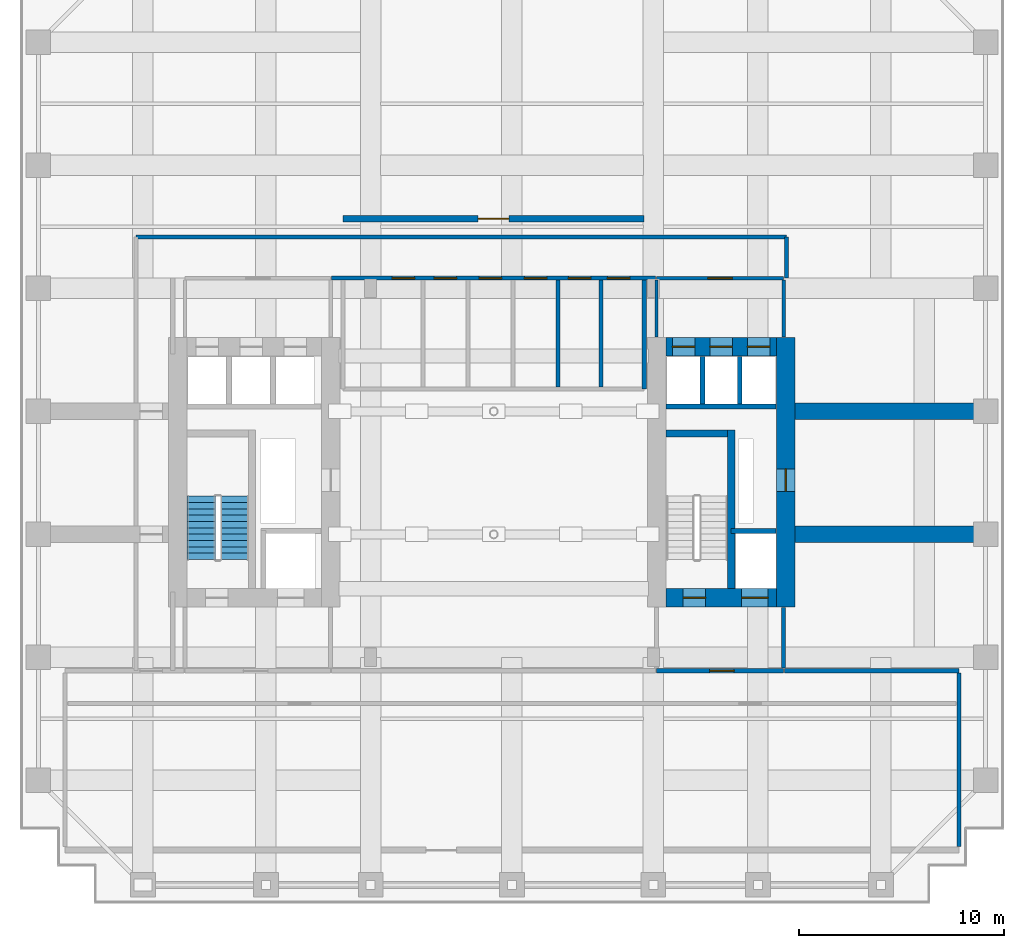
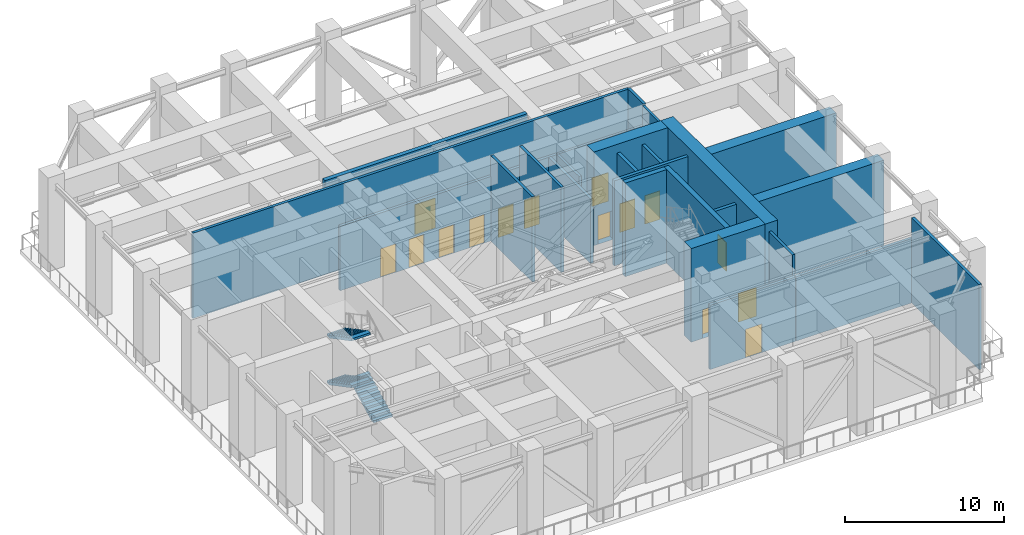
# One storey, part 5 of 10: 25 walls, 15 doors, 3 stair flights, 15 openings, 1 element without a shape of its own.
"""IFC4 building model written with IfcOpenShell, lengths in metres."""

from ifc_helpers import new_model, si_unit, direction, frame, frame_2d, origin, place, context, subcontext, project, spatial, polyline, rectangle, outline, extrude, source, transform, mapped, material, layer, layer_set, type_object, element, fill, aggregate, save


model = new_model("IFC4")

# Units and contexts
model_context = context("Model", 3, precision=1e-05, world=origin(), true_north=direction((0.0, 1.0)))
body_context = subcontext(model_context, "Body", "Model", "MODEL_VIEW")
ifc_project = project(units=[si_unit("LENGTHUNIT", "METRE"), si_unit("AREAUNIT", "SQUARE_METRE"), si_unit("VOLUMEUNIT", "CUBIC_METRE"), si_unit("PLANEANGLEUNIT", "RADIAN"), si_unit("MASSUNIT", "GRAM", prefix="KILO")], contexts=[model_context])

# Site, building, storey
site_placement = place(None, origin())
site = spatial("IfcSite", under=ifc_project, at=site_placement, CompositionType="ELEMENT")
building_placement = place(site_placement, origin())
building = spatial("IfcBuilding", under=site, at=building_placement, Name="Khoralis Quay Care Tower", CompositionType="ELEMENT")
storey_placement = place(building_placement, frame((0.0, 0.0, 76.5)))
storey = spatial("IfcBuildingStorey", under=building, at=storey_placement, Name="L20", CompositionType="ELEMENT", Elevation=76.5)

# Wall, opening, door
ifc_material_1 = material(Name="Gypsum plasterboard on acoustic metal stud")
ifc_layer_1 = layer(ifc_material_1, 0.199951171875)
ifc_layer_set_1 = layer_set([ifc_layer_1], Name="Gypsum plasterboard on acoustic metal stud")
wall_type_1 = type_object("IfcWallType", Name="WL-COMP-200", PredefinedType="PARTITIONING", material=ifc_layer_set_1)
wall_1_placement = place(storey_placement, frame((31.050048828125, 11.35009765625, 0.0), z_axis=(0.0, 0.0, 1.0), x_axis=(1.0, 0.0, 0.0)))
wall_1 = element("IfcWall", 1, at=wall_1_placement, inside=storey, type_object=wall_type_1, Name="L20 East Firefighting Lobby South Wall", PredefinedType="PARTITIONING", context=body_context, shape_type="SweptSolid", body=[
    extrude(rectangle(XDim=6.199951171875, YDim=0.199951171875, at=frame_2d((3.10009765625, 0.0))), origin(), (0.0, 0.0, 1.0), 4.949951171875),
])
opening_1_placement = place(wall_1_placement, frame((2.585693359375, 0.0, 0.0)))
opening_1 = element("IfcOpeningElement", 2, at=opening_1_placement, cuts=wall_1, Name="Opening FD1", PredefinedType="OPENING", context=body_context, shape_type="SweptSolid", body=[
    extrude(rectangle(XDim=1.199951171875, YDim=2.199951171875, at=frame_2d((0.60009765625, 1.10009765625))), frame((0.0, 0.10986328125, 0.0), z_axis=(0.0, -1.0, 0.0), x_axis=(1.0, 0.0, 0.0)), (0.0, 0.0, 1.0), 0.219970703125),
])
ifc_material_2 = material(Name="Fire-rated painted steel", Category="steel")
door_type_1 = type_object("IfcDoorType", Name="DR-FFL-1200X2200", OperationType="NOTDEFINED", PredefinedType="DOOR", material=ifc_material_2)
shared_shape_1 = source(origin(), body_context, "Body", "SweptSolid", [
    extrude(rectangle(XDim=1.199951171875, YDim=2.199951171875, at=frame_2d((0.60009765625, 1.10009765625))), frame((0.0, 0.02490234375, 0.0), z_axis=(0.0, -1.0, 0.0), x_axis=(1.0, 0.0, 0.0)), (0.0, 0.0, 1.0), 0.050048828125),
])
door_1_placement = place(opening_1_placement, origin())
door_1 = element("IfcDoor", 3, at=door_1_placement, inside=storey, type_object=door_type_1, Name="L20 East Firefighting Lobby Fire Door", OperationType="SINGLE_SWING_LEFT", OverallHeight=2.199951171875, OverallWidth=1.199951171875, PredefinedType="DOOR", context=body_context, shape_type="MappedRepresentation", body=[
    mapped(shared_shape_1, transform((0.0, 0.0, 0.0), scale=1.0)),
])
fill(opening_1, door_1)

# Walls
wall_2_placement = place(storey_placement, frame((37.25, 11.469970703125, 0.0), z_axis=(0.0, 0.0, 1.0), x_axis=(0.0, 1.0, 0.0)))
element("IfcWall", 4, at=wall_2_placement, inside=storey, type_object=wall_type_1, Name="L20 East Firefighting Lobby East Wall", PredefinedType="PARTITIONING", context=body_context, shape_type="SweptSolid", body=[
    extrude(rectangle(XDim=2.9599609375, YDim=0.199951171875, at=frame_2d((1.47998046875, 0.0))), origin(), (0.0, 0.0, 1.0), 6.550048828125),
])
wall_3_placement = place(storey_placement, frame((45.800048828125, 2.77001953125, 0.0), z_axis=(0.0, 0.0, 1.0), x_axis=(0.0, 1.0, 0.0)))
element("IfcWall", 5, at=wall_3_placement, inside=storey, type_object=wall_type_1, Name="L20 Refuge East Compartment Wall", PredefinedType="PARTITIONING", context=body_context, shape_type="SweptSolid", body=[
    extrude(rectangle(XDim=8.47998046875, YDim=0.199951171875, at=frame_2d((4.239990234375, 0.0))), origin(), (0.0, 0.0, 1.0), 6.550048828125),
])
wall_4_placement = place(storey_placement, frame((37.300048828125, 11.35009765625, 0.0), z_axis=(0.0, 0.0, 1.0), x_axis=(1.0, 0.0, 0.0)))
element("IfcWall", 6, at=wall_4_placement, inside=storey, type_object=wall_type_1, Name="L20 Refuge Corridor North-East Cap", PredefinedType="PARTITIONING", context=body_context, shape_type="SweptSolid", body=[
    extrude(rectangle(XDim=8.5, YDim=0.199951171875, at=frame_2d((4.25, 0.0))), origin(), (0.0, 0.0, 1.0), 4.949951171875),
])
wall_5_placement = place(storey_placement, frame((5.64990234375, 32.5, 0.0), z_axis=(0.0, 0.0, 1.0), x_axis=(1.0, 0.0, 0.0)))
element("IfcWall", 7, at=wall_5_placement, inside=storey, type_object=wall_type_1, Name="L20 North Plant Corridor Outer Wall", PredefinedType="PARTITIONING", context=body_context, shape_type="SweptSolid", body=[
    extrude(rectangle(XDim=31.75, YDim=0.199951171875, at=frame_2d((15.875, 0.0))), origin(), (0.0, 0.0, 1.0), 6.550048828125),
])

# Wall, openings, doors
wall_6_placement = place(storey_placement, frame((15.199951171875, 30.5, 0.0), z_axis=(0.0, 0.0, 1.0), x_axis=(1.0, 0.0, 0.0)))
wall_6 = element("IfcWall", 8, at=wall_6_placement, inside=storey, type_object=wall_type_1, Name="L20 North Plant Corridor South Wall", PredefinedType="PARTITIONING", context=body_context, shape_type="SweptSolid", body=[
    extrude(rectangle(XDim=15.800048828125, YDim=0.199951171875, at=frame_2d((7.89990234375, 0.0))), origin(), (0.0, 0.0, 1.0), 4.949951171875),
])
opening_2_placement = place(wall_6_placement, frame((2.949951171875, 0.0, 0.0)))
opening_2 = element("IfcOpeningElement", 9, at=opening_2_placement, cuts=wall_6, Name="Opening SD1", PredefinedType="OPENING", context=body_context, shape_type="SweptSolid", body=[
    extrude(rectangle(XDim=1.10009765625, YDim=2.199951171875, at=frame_2d((0.550048828125, 1.10009765625))), frame((0.0, 0.10986328125, 0.0), z_axis=(0.0, -1.0, 0.0), x_axis=(1.0, 0.0, 0.0)), (0.0, 0.0, 1.0), 0.219970703125),
])
opening_3_placement = place(wall_6_placement, frame((5.0, 0.0, 0.0)))
opening_3 = element("IfcOpeningElement", 10, at=opening_3_placement, cuts=wall_6, Name="Opening SD1", PredefinedType="OPENING", context=body_context, shape_type="SweptSolid", body=[
    extrude(rectangle(XDim=1.10009765625, YDim=2.199951171875, at=frame_2d((0.550048828125, 1.10009765625))), frame((0.0, 0.10986328125, 0.0), z_axis=(0.0, -1.0, 0.0), x_axis=(1.0, 0.0, 0.0)), (0.0, 0.0, 1.0), 0.219970703125),
])
opening_4_placement = place(wall_6_placement, frame((7.199951171875, 0.0, 0.0)))
opening_4 = element("IfcOpeningElement", 11, at=opening_4_placement, cuts=wall_6, Name="Opening SD1", PredefinedType="OPENING", context=body_context, shape_type="SweptSolid", body=[
    extrude(rectangle(XDim=1.10009765625, YDim=2.199951171875, at=frame_2d((0.550048828125, 1.10009765625))), frame((0.0, 0.10986328125, 0.0), z_axis=(0.0, -1.0, 0.0), x_axis=(1.0, 0.0, 0.0)), (0.0, 0.0, 1.0), 0.219970703125),
])
opening_5_placement = place(wall_6_placement, frame((9.39990234375, 0.0, 0.0)))
opening_5 = element("IfcOpeningElement", 12, at=opening_5_placement, cuts=wall_6, Name="Opening SD1", PredefinedType="OPENING", context=body_context, shape_type="SweptSolid", body=[
    extrude(rectangle(XDim=1.10009765625, YDim=2.199951171875, at=frame_2d((0.550048828125, 1.10009765625))), frame((0.0, 0.10986328125, 0.0), z_axis=(0.0, -1.0, 0.0), x_axis=(1.0, 0.0, 0.0)), (0.0, 0.0, 1.0), 0.219970703125),
])
opening_6_placement = place(wall_6_placement, frame((11.550048828125, 0.0, 0.0)))
opening_6 = element("IfcOpeningElement", 13, at=opening_6_placement, cuts=wall_6, Name="Opening SD1", PredefinedType="OPENING", context=body_context, shape_type="SweptSolid", body=[
    extrude(rectangle(XDim=1.10009765625, YDim=2.199951171875, at=frame_2d((0.550048828125, 1.10009765625))), frame((0.0, 0.10986328125, 0.0), z_axis=(0.0, -1.0, 0.0), x_axis=(1.0, 0.0, 0.0)), (0.0, 0.0, 1.0), 0.219970703125),
])
opening_7_placement = place(wall_6_placement, frame((13.449951171875, 0.0, 0.0)))
opening_7 = element("IfcOpeningElement", 14, at=opening_7_placement, cuts=wall_6, Name="Opening SD1", PredefinedType="OPENING", context=body_context, shape_type="SweptSolid", body=[
    extrude(rectangle(XDim=1.10009765625, YDim=2.199951171875, at=frame_2d((0.550048828125, 1.10009765625))), frame((0.0, 0.10986328125, 0.0), z_axis=(0.0, -1.0, 0.0), x_axis=(1.0, 0.0, 0.0)), (0.0, 0.0, 1.0), 0.219970703125),
])
door_type_2 = type_object("IfcDoorType", Name="DR-STAIR-1100X2200", OperationType="NOTDEFINED", PredefinedType="DOOR", material=ifc_material_2)
shared_shape_2 = source(origin(), body_context, "Body", "SweptSolid", [
    extrude(rectangle(XDim=1.10009765625, YDim=2.199951171875, at=frame_2d((0.550048828125, 1.10009765625))), frame((0.0, 0.02490234375, 0.0), z_axis=(0.0, -1.0, 0.0), x_axis=(1.0, 0.0, 0.0)), (0.0, 0.0, 1.0), 0.050048828125),
])
door_2_placement = place(opening_2_placement, origin())
door_2 = element("IfcDoor", 15, at=door_2_placement, inside=storey, type_object=door_type_2, Name="L20 Pressurization AHU Plant Room Door", OperationType="SINGLE_SWING_LEFT", OverallHeight=2.199951171875, OverallWidth=1.10009765625, PredefinedType="DOOR", context=body_context, shape_type="MappedRepresentation", body=[
    mapped(shared_shape_2, transform((0.0, 0.0, 0.0), scale=1.0)),
])
fill(opening_2, door_2)
door_3_placement = place(opening_3_placement, origin())
door_3 = element("IfcDoor", 16, at=door_3_placement, inside=storey, type_object=door_type_2, Name="L20 Smoke Extract Fan Plant Room Door", OperationType="SINGLE_SWING_RIGHT", OverallHeight=2.199951171875, OverallWidth=1.10009765625, PredefinedType="DOOR", context=body_context, shape_type="MappedRepresentation", body=[
    mapped(shared_shape_2, transform((0.0, 0.0, 0.0), scale=1.0)),
])
fill(opening_3, door_3)
door_4_placement = place(opening_4_placement, origin())
door_4 = element("IfcDoor", 17, at=door_4_placement, inside=storey, type_object=door_type_2, Name="L20 Stair Pressurization Plant Room Door", OperationType="SINGLE_SWING_LEFT", OverallHeight=2.199951171875, OverallWidth=1.10009765625, PredefinedType="DOOR", context=body_context, shape_type="MappedRepresentation", body=[
    mapped(shared_shape_2, transform((0.0, 0.0, 0.0), scale=1.0)),
])
fill(opening_4, door_4)
door_5_placement = place(opening_5_placement, origin())
door_5 = element("IfcDoor", 18, at=door_5_placement, inside=storey, type_object=door_type_2, Name="L20 Fire Pump Booster Plant Room Door", OperationType="SINGLE_SWING_RIGHT", OverallHeight=2.199951171875, OverallWidth=1.10009765625, PredefinedType="DOOR", context=body_context, shape_type="MappedRepresentation", body=[
    mapped(shared_shape_2, transform((0.0, 0.0, 0.0), scale=1.0)),
])
fill(opening_5, door_5)
door_6_placement = place(opening_6_placement, origin())
door_6 = element("IfcDoor", 19, at=door_6_placement, inside=storey, type_object=door_type_2, Name="L20 Emergency Power Plant Room Door", OperationType="SINGLE_SWING_LEFT", OverallHeight=2.199951171875, OverallWidth=1.10009765625, PredefinedType="DOOR", context=body_context, shape_type="MappedRepresentation", body=[
    mapped(shared_shape_2, transform((0.0, 0.0, 0.0), scale=1.0)),
])
fill(opening_6, door_6)
door_7_placement = place(opening_7_placement, origin())
door_7 = element("IfcDoor", 20, at=door_7_placement, inside=storey, type_object=door_type_2, Name="L20 Heat Exchanger Plant Room Door", OperationType="SINGLE_SWING_RIGHT", OverallHeight=2.199951171875, OverallWidth=1.10009765625, PredefinedType="DOOR", context=body_context, shape_type="MappedRepresentation", body=[
    mapped(shared_shape_2, transform((0.0, 0.0, 0.0), scale=1.0)),
])
fill(opening_7, door_7)

# Walls
wall_7_placement = place(storey_placement, frame((37.39990234375, 30.5, 0.0), z_axis=(0.0, 0.0, 1.0), x_axis=(0.0, 1.0, 0.0)))
element("IfcWall", 21, at=wall_7_placement, inside=storey, type_object=wall_type_1, Name="L20 North Plant Corridor East Cap", PredefinedType="PARTITIONING", context=body_context, shape_type="SweptSolid", body=[
    extrude(rectangle(XDim=2.0, YDim=0.199951171875, at=frame_2d((1.0, 0.0))), origin(), (0.0, 0.0, 1.0), 6.550048828125),
])
wall_8_placement = place(storey_placement, frame((30.449951171875, 25.10009765625, 0.0), z_axis=(0.0, 0.0, 1.0), x_axis=(0.0, 1.0, 0.0)))
element("IfcWall", 22, at=wall_8_placement, inside=storey, type_object=wall_type_1, Name="L20 Plant Bank East Wall", PredefinedType="PARTITIONING", context=body_context, shape_type="SweptSolid", body=[
    extrude(rectangle(XDim=5.31982421875, YDim=0.199951171875, at=frame_2d((2.659912109375, 0.0))), origin(), (0.0, 0.0, 1.0), 4.949951171875),
])
for number, where, z_axis, x_axis, name in (
    (23, (26.25, 25.179931640625, 0.0), (0.0, 0.0, 1.0), (0.0, 1.0, 0.0), "L20 Plant Room Divider 4"),
    (24, (28.35009765625, 25.179931640625, 0.0), (0.0, 0.0, 1.0), (0.0, 1.0, 0.0), "L20 Plant Room Divider 5"),
):
    element("IfcWall", number, at=place(storey_placement, frame(where, z_axis=z_axis, x_axis=x_axis)), inside=storey, type_object=wall_type_1, Name=name, PredefinedType="PARTITIONING", context=body_context, shape_type="SweptSolid", body=[
        extrude(rectangle(XDim=5.239990234375, YDim=0.199951171875, at=frame_2d((2.6201171875, 0.0))), origin(), (0.0, 0.0, 1.0), 6.550048828125),
    ])

# Wall, opening, door
ifc_material_3 = material(Name="Concrete C80/95", Category="concrete")
ifc_layer_2 = layer(ifc_material_3, 0.89990234375)
ifc_layer_set_2 = layer_set([ifc_layer_2], Name="Concrete C80/95")
wall_type_2 = type_object("IfcWallType", Name="WL-CORE-900", PredefinedType="SHEAR", material=ifc_layer_set_2)
wall_9_placement = place(storey_placement, frame((37.35009765625, 14.449951171875, 0.0), z_axis=(0.0, 0.0, 1.0), x_axis=(0.0, 1.0, 0.0)))
wall_9 = element("IfcWall", 25, at=wall_9_placement, inside=storey, type_object=wall_type_2, Name="L20 ECORE East Shear Wall", PredefinedType="SHEAR", context=body_context, shape_type="SweptSolid", body=[
    extrude(rectangle(XDim=13.150146484375, YDim=0.89990234375, at=frame_2d((6.5751953125, 0.0))), origin(), (0.0, 0.0, 1.0), 7.199951171875),
])
opening_8_placement = place(wall_9_placement, frame((5.64990234375, 0.0, 0.0)))
opening_8 = element("IfcOpeningElement", 26, at=opening_8_placement, cuts=wall_9, Name="Opening SD1", PredefinedType="OPENING", context=body_context, shape_type="SweptSolid", body=[
    extrude(rectangle(XDim=1.10009765625, YDim=2.199951171875, at=frame_2d((0.550048828125, 1.10009765625))), frame((0.0, 0.4599609375, 0.0), z_axis=(0.0, -1.0, 0.0), x_axis=(1.0, 0.0, 0.0)), (0.0, 0.0, 1.0), 0.919921875),
])
door_8_placement = place(opening_8_placement, frame((1.10009765625, 0.0, 0.0), z_axis=(0.0, 0.0, 1.0), x_axis=(-1.0, 0.0, 0.0)))
door_8 = element("IfcDoor", 27, at=door_8_placement, inside=storey, type_object=door_type_2, Name="L20 East MEP Riser Door", OperationType="SINGLE_SWING_LEFT", OverallHeight=2.199951171875, OverallWidth=1.10009765625, PredefinedType="DOOR", context=body_context, shape_type="MappedRepresentation", body=[
    mapped(shared_shape_2, transform((0.0, 0.0, 0.0), scale=1.0)),
])
fill(opening_8, door_8)

# Wall, openings, doors
wall_10_placement = place(storey_placement, frame((31.52001953125, 14.89990234375, 0.0), z_axis=(0.0, 0.0, 1.0), x_axis=(1.0, 0.0, 0.0)))
wall_10 = element("IfcWall", 28, at=wall_10_placement, inside=storey, type_object=wall_type_2, Name="L20 ECORE South Shear Wall", PredefinedType="SHEAR", context=body_context, shape_type="SweptSolid", body=[
    extrude(rectangle(XDim=5.3798828125, YDim=0.89990234375, at=frame_2d((2.68994140625, 0.0))), origin(), (0.0, 0.0, 1.0), 7.199951171875),
])
opening_9_placement = place(wall_10_placement, frame((0.830078125, 0.0, 0.0)))
opening_9 = element("IfcOpeningElement", 29, at=opening_9_placement, cuts=wall_10, Name="Opening SD1", PredefinedType="OPENING", context=body_context, shape_type="SweptSolid", body=[
    extrude(rectangle(XDim=1.10009765625, YDim=2.199951171875, at=frame_2d((0.550048828125, 1.10009765625))), frame((0.0, 0.4599609375, 0.0), z_axis=(0.0, -1.0, 0.0), x_axis=(1.0, 0.0, 0.0)), (0.0, 0.0, 1.0), 0.919921875),
])
opening_10_placement = place(wall_10_placement, frame((3.679931640625, 0.0, 0.0)))
opening_10 = element("IfcOpeningElement", 30, at=opening_10_placement, cuts=wall_10, Name="Opening LD2", PredefinedType="OPENING", context=body_context, shape_type="SweptSolid", body=[
    extrude(rectangle(XDim=1.300048828125, YDim=2.199951171875, at=frame_2d((0.64990234375, 1.10009765625))), frame((0.0, 0.4599609375, 0.0), z_axis=(0.0, -1.0, 0.0), x_axis=(1.0, 0.0, 0.0)), (0.0, 0.0, 1.0), 0.919921875),
])
door_9_placement = place(opening_9_placement, origin())
door_9 = element("IfcDoor", 31, at=door_9_placement, inside=storey, type_object=door_type_2, Name="L20 Stair ST-T2 Fire Door", OperationType="SINGLE_SWING_LEFT", OverallHeight=2.199951171875, OverallWidth=1.10009765625, PredefinedType="DOOR", context=body_context, shape_type="MappedRepresentation", body=[
    mapped(shared_shape_2, transform((0.0, 0.0, 0.0), scale=1.0)),
])
fill(opening_9, door_9)
ifc_material_4 = material(Name="Brushed stainless steel", Category="steel")
door_type_3 = type_object("IfcDoorType", Name="DR-LIFT-1300X2200", OperationType="SLIDING_TO_RIGHT", PredefinedType="DOOR", material=ifc_material_4)
shared_shape_3 = source(origin(), body_context, "Body", "SweptSolid", [
    extrude(rectangle(XDim=1.300048828125, YDim=2.199951171875, at=frame_2d((0.64990234375, 1.10009765625))), frame((0.0, 0.02490234375, 0.0), z_axis=(0.0, -1.0, 0.0), x_axis=(1.0, 0.0, 0.0)), (0.0, 0.0, 1.0), 0.050048828125),
])
door_10_placement = place(opening_10_placement, origin())
door_10 = element("IfcDoor", 32, at=door_10_placement, inside=storey, type_object=door_type_3, Name="L20 Firefighting Lift FFL-2 Landing Door", OperationType="SLIDING_TO_RIGHT", OverallHeight=2.199951171875, OverallWidth=1.300048828125, PredefinedType="DOOR", context=body_context, shape_type="MappedRepresentation", body=[
    mapped(shared_shape_3, transform((0.0, 0.0, 0.0), scale=1.0)),
])
fill(opening_10, door_10)

wall_11_placement = place(storey_placement, frame((31.52001953125, 27.14990234375, 0.0), z_axis=(0.0, 0.0, 1.0), x_axis=(1.0, 0.0, 0.0)))
wall_11 = element("IfcWall", 33, at=wall_11_placement, inside=storey, type_object=wall_type_2, Name="L20 ECORE North Shear Wall", PredefinedType="SHEAR", context=body_context, shape_type="SweptSolid", body=[
    extrude(rectangle(XDim=5.3798828125, YDim=0.89990234375, at=frame_2d((2.68994140625, 0.0))), origin(), (0.0, 0.0, 1.0), 7.199951171875),
])
opening_11_placement = place(wall_11_placement, frame((0.300048828125, 0.0, 0.0)))
opening_11 = element("IfcOpeningElement", 34, at=opening_11_placement, cuts=wall_11, Name="Opening LD1", PredefinedType="OPENING", context=body_context, shape_type="SweptSolid", body=[
    extrude(rectangle(XDim=1.10009765625, YDim=2.199951171875, at=frame_2d((0.550048828125, 1.10009765625))), frame((0.0, 0.4599609375, 0.0), z_axis=(0.0, -1.0, 0.0), x_axis=(1.0, 0.0, 0.0)), (0.0, 0.0, 1.0), 0.919921875),
])
opening_12_placement = place(wall_11_placement, frame((2.1298828125, 0.0, 0.0)))
opening_12 = element("IfcOpeningElement", 35, at=opening_12_placement, cuts=wall_11, Name="Opening LD1", PredefinedType="OPENING", context=body_context, shape_type="SweptSolid", body=[
    extrude(rectangle(XDim=1.10009765625, YDim=2.199951171875, at=frame_2d((0.550048828125, 1.10009765625))), frame((0.0, 0.4599609375, 0.0), z_axis=(0.0, -1.0, 0.0), x_axis=(1.0, 0.0, 0.0)), (0.0, 0.0, 1.0), 0.919921875),
])
opening_13_placement = place(wall_11_placement, frame((3.9599609375, 0.0, 0.0)))
opening_13 = element("IfcOpeningElement", 36, at=opening_13_placement, cuts=wall_11, Name="Opening LD1", PredefinedType="OPENING", context=body_context, shape_type="SweptSolid", body=[
    extrude(rectangle(XDim=1.10009765625, YDim=2.199951171875, at=frame_2d((0.550048828125, 1.10009765625))), frame((0.0, 0.4599609375, 0.0), z_axis=(0.0, -1.0, 0.0), x_axis=(1.0, 0.0, 0.0)), (0.0, 0.0, 1.0), 0.919921875),
])
door_type_4 = type_object("IfcDoorType", Name="DR-LIFT-1100X2200", OperationType="SLIDING_TO_LEFT", PredefinedType="DOOR", material=ifc_material_4)
shared_shape_4 = source(origin(), body_context, "Body", "SweptSolid", [
    extrude(rectangle(XDim=1.10009765625, YDim=2.199951171875, at=frame_2d((0.550048828125, 1.10009765625))), frame((0.0, 0.02490234375, 0.0), z_axis=(0.0, -1.0, 0.0), x_axis=(1.0, 0.0, 0.0)), (0.0, 0.0, 1.0), 0.050048828125),
])
door_11_placement = place(opening_11_placement, origin())
door_11 = element("IfcDoor", 37, at=door_11_placement, inside=storey, type_object=door_type_4, Name="L20 Lift PLL2 Landing Door", OperationType="SLIDING_TO_LEFT", OverallHeight=2.199951171875, OverallWidth=1.10009765625, PredefinedType="DOOR", context=body_context, shape_type="MappedRepresentation", body=[
    mapped(shared_shape_4, transform((0.0, 0.0, 0.0), scale=1.0)),
])
fill(opening_11, door_11)
door_12_placement = place(opening_12_placement, origin())
door_12 = element("IfcDoor", 38, at=door_12_placement, inside=storey, type_object=door_type_4, Name="L20 Lift PLM2 Landing Door", OperationType="SLIDING_TO_LEFT", OverallHeight=2.199951171875, OverallWidth=1.10009765625, PredefinedType="DOOR", context=body_context, shape_type="MappedRepresentation", body=[
    mapped(shared_shape_4, transform((0.0, 0.0, 0.0), scale=1.0)),
])
fill(opening_12, door_12)
door_13_placement = place(opening_13_placement, origin())
door_13 = element("IfcDoor", 39, at=door_13_placement, inside=storey, type_object=door_type_4, Name="L20 Lift PLH2 Landing Door", OperationType="SLIDING_TO_LEFT", OverallHeight=2.199951171875, OverallWidth=1.10009765625, PredefinedType="DOOR", context=body_context, shape_type="MappedRepresentation", body=[
    mapped(shared_shape_4, transform((0.0, 0.0, 0.0), scale=1.0)),
])
fill(opening_13, door_13)

# Wall, opening, door
ifc_layer_3 = layer(ifc_material_1, 0.1650390625)
ifc_layer_set_3 = layer_set([ifc_layer_3], Name="Gypsum plasterboard on acoustic metal stud")
wall_type_3 = type_object("IfcWallType", Name="WL-CORR-165", PredefinedType="PARTITIONING", material=ifc_layer_set_3)
wall_12_placement = place(storey_placement, frame((31.050048828125, 30.5, 0.0), z_axis=(0.0, 0.0, 1.0), x_axis=(1.0, 0.0, 0.0)))
wall_12 = element("IfcWall", 40, at=wall_12_placement, inside=storey, type_object=wall_type_3, Name="L20 East Lift Lobby North Wall", PredefinedType="PARTITIONING", context=body_context, shape_type="SweptSolid", body=[
    extrude(rectangle(XDim=6.199951171875, YDim=0.1650390625, at=frame_2d((3.10009765625, 0.0))), origin(), (0.0, 0.0, 1.0), 4.949951171875),
])
opening_14_placement = place(wall_12_placement, frame((2.5, 0.0, 0.0)))
opening_14 = element("IfcOpeningElement", 41, at=opening_14_placement, cuts=wall_12, Name="Opening FD1", PredefinedType="OPENING", context=body_context, shape_type="SweptSolid", body=[
    extrude(rectangle(XDim=1.199951171875, YDim=2.199951171875, at=frame_2d((0.60009765625, 1.10009765625))), frame((0.0, 0.092529296875, 0.0), z_axis=(0.0, -1.0, 0.0), x_axis=(1.0, 0.0, 0.0)), (0.0, 0.0, 1.0), 0.18505859375),
])
door_14_placement = place(opening_14_placement, origin())
door_14 = element("IfcDoor", 42, at=door_14_placement, inside=storey, type_object=door_type_1, Name="L20 East Lift Lobby Double Door", OperationType="DOUBLE_DOOR_SINGLE_SWING", OverallHeight=2.199951171875, OverallWidth=1.199951171875, PredefinedType="DOOR", context=body_context, shape_type="MappedRepresentation", body=[
    mapped(shared_shape_1, transform((0.0, 0.0, 0.0), scale=1.0)),
])
fill(opening_14, door_14)

# Walls
wall_13_placement = place(storey_placement, frame((31.050048828125, 27.6201171875, 0.0), z_axis=(0.0, 0.0, 1.0), x_axis=(0.0, 1.0, 0.0)))
element("IfcWall", 43, at=wall_13_placement, inside=storey, type_object=wall_type_3, Name="L20 East Lift Lobby West Wall", PredefinedType="PARTITIONING", context=body_context, shape_type="SweptSolid", body=[
    extrude(rectangle(XDim=2.77978515625, YDim=0.1650390625, at=frame_2d((1.389892578125, 0.0))), origin(), (0.0, 0.0, 1.0), 4.949951171875),
])
wall_14_placement = place(storey_placement, frame((37.25, 27.6201171875, 0.0), z_axis=(0.0, 0.0, 1.0), x_axis=(0.0, 1.0, 0.0)))
element("IfcWall", 44, at=wall_14_placement, inside=storey, type_object=wall_type_3, Name="L20 East Lift Lobby East Wall", PredefinedType="PARTITIONING", context=body_context, shape_type="SweptSolid", body=[
    extrude(rectangle(XDim=2.77978515625, YDim=0.1650390625, at=frame_2d((1.389892578125, 0.0))), origin(), (0.0, 0.0, 1.0), 6.550048828125),
])

# Wall, opening, door
ifc_material_5 = material(Name="Precast concrete C45/55", Category="concrete")
ifc_layer_4 = layer(ifc_material_5, 0.300048828125)
ifc_layer_set_4 = layer_set([ifc_layer_4], Name="Precast concrete C45/55")
wall_type_4 = type_object("IfcWallType", Name="WL-EXT-REF-300", PredefinedType="SOLIDWALL", material=ifc_layer_set_4)
wall_15_placement = place(storey_placement, frame((15.75, 33.39990234375, 0.0), z_axis=(0.0, 0.0, 1.0), x_axis=(1.0, 0.0, 0.0)))
wall_15 = element("IfcWall", 45, at=wall_15_placement, inside=storey, type_object=wall_type_4, Name="L20 External Facade Wall WL-L20-REF-N", PredefinedType="SOLIDWALL", context=body_context, shape_type="SweptSolid", body=[
    extrude(rectangle(XDim=14.699951171875, YDim=0.300048828125, at=frame_2d((7.35009765625, 0.0))), origin(), (0.0, 0.0, 1.0), 6.550048828125),
])
opening_15_placement = place(wall_15_placement, frame((6.60009765625, 0.0, 0.0)))
opening_15 = element("IfcOpeningElement", 46, at=opening_15_placement, cuts=wall_15, Name="Opening TD1", PredefinedType="OPENING", context=body_context, shape_type="SweptSolid", body=[
    extrude(rectangle(XDim=1.5, YDim=2.300048828125, at=frame_2d((0.75, 1.14990234375))), frame((0.0, 0.16015625, 0.0), z_axis=(0.0, -1.0, 0.0), x_axis=(1.0, 0.0, 0.0)), (0.0, 0.0, 1.0), 0.320068359375),
])
ifc_material_6 = material(Name="Anodised aluminium and laminated safety glass", Category="aluminium")
door_type_5 = type_object("IfcDoorType", Name="DR-EXT-TERR-1500X2300", OperationType="NOTDEFINED", PredefinedType="DOOR", material=ifc_material_6)
shared_shape_5 = source(origin(), body_context, "Body", "SweptSolid", [
    extrude(rectangle(XDim=1.5, YDim=2.300048828125, at=frame_2d((0.75, 1.14990234375))), frame((0.0, 0.02490234375, 0.0), z_axis=(0.0, -1.0, 0.0), x_axis=(1.0, 0.0, 0.0)), (0.0, 0.0, 1.0), 0.050048828125),
])
door_15_placement = place(opening_15_placement, origin())
door_15 = element("IfcDoor", 47, at=door_15_placement, inside=storey, type_object=door_type_5, Name="L20 Wind-Slot Deck Door North", OperationType="DOUBLE_DOOR_SINGLE_SWING", OverallHeight=2.300048828125, OverallWidth=1.5, PredefinedType="DOOR", context=body_context, shape_type="MappedRepresentation", body=[
    mapped(shared_shape_5, transform((0.0, 0.0, 0.0), scale=1.0)),
])
fill(opening_15, door_15)

# Walls
ifc_layer_5 = layer(ifc_material_3, 0.800048828125)
ifc_layer_set_5 = layer_set([ifc_layer_5], Name="Concrete C80/95")
wall_type_5 = type_object("IfcWallType", Name="WL-OUTRIGGER-800", PredefinedType="SOLIDWALL", material=ifc_layer_set_5)
for number, where, z_axis, x_axis, name in (
    (48, (37.800048828125, 18.0, 0.0), (0.0, 0.0, 1.0), (1.0, 0.0, 0.0), "L20 East Outrigger Wall S"),
    (49, (37.800048828125, 24.0, 0.0), (0.0, 0.0, 1.0), (1.0, 0.0, 0.0), "L20 East Outrigger Wall N"),
):
    element("IfcWall", number, at=place(storey_placement, frame(where, z_axis=z_axis, x_axis=x_axis)), inside=storey, type_object=wall_type_5, Name=name, PredefinedType="SOLIDWALL", context=body_context, shape_type="SweptSolid", body=[
        extrude(rectangle(XDim=9.550048828125, YDim=0.800048828125, at=frame_2d((4.77490234375, 0.0))), origin(), (0.0, 0.0, 1.0), 6.550048828125),
    ])
ifc_material_7 = material(Name="Concrete C40/50", Category="concrete")
ifc_layer_6 = layer(ifc_material_7, 0.35009765625)
ifc_layer_set_6 = layer_set([ifc_layer_6], Name="Concrete C40/50")
wall_type_6 = type_object("IfcWallType", Name="WL-SC-CORE-350", PredefinedType="SHEAR", material=ifc_layer_set_6)
wall_16_placement = place(storey_placement, frame((34.695068359375, 15.35009765625, 0.0), z_axis=(0.0, 0.0, 1.0), x_axis=(0.0, 1.0, 0.0)))
element("IfcWall", 50, at=wall_16_placement, inside=storey, type_object=wall_type_6, Name="L20 Stair ST-T2 Shear Baffle Wall East", PredefinedType="SHEAR", context=body_context, shape_type="SweptSolid", body=[
    extrude(rectangle(XDim=7.75, YDim=0.35009765625, at=frame_2d((3.875, 0.0))), origin(), (0.0, 0.0, 1.0), 7.199951171875),
])
wall_17_placement = place(storey_placement, frame((31.52001953125, 22.925048828125, 0.0), z_axis=(0.0, 0.0, 1.0), x_axis=(1.0, 0.0, 0.0)))
element("IfcWall", 51, at=wall_17_placement, inside=storey, type_object=wall_type_6, Name="L20 Stair ST-T2 Shear Baffle Wall North", PredefinedType="SHEAR", context=body_context, shape_type="SweptSolid", body=[
    extrude(rectangle(XDim=3.0, YDim=0.35009765625, at=frame_2d((1.5, 0.0))), origin(), (0.0, 0.0, 1.0), 7.199951171875),
])
ifc_layer_7 = layer(ifc_material_1, 0.239990234375)
ifc_layer_set_7 = layer_set([ifc_layer_7], Name="Gypsum plasterboard on acoustic metal stud")
wall_type_7 = type_object("IfcWallType", Name="WL-SHAFT-240", PredefinedType="PARTITIONING", material=ifc_layer_set_7)
wall_18_placement = place(storey_placement, frame((34.679931640625, 18.169921875, 0.0), z_axis=(0.0, 0.0, 1.0), x_axis=(1.0, 0.0, 0.0)))
element("IfcWall", 52, at=wall_18_placement, inside=storey, type_object=wall_type_7, Name="L20 FFL-2 Shaft Wall North", PredefinedType="PARTITIONING", context=body_context, shape_type="SweptSolid", body=[
    extrude(rectangle(XDim=2.199951171875, YDim=0.239990234375, at=frame_2d((1.10009765625, 0.0))), origin(), (0.0, 0.0, 1.0), 6.550048828125),
])
wall_19_placement = place(storey_placement, frame((31.52001953125, 24.22998046875, 0.0), z_axis=(0.0, 0.0, 1.0), x_axis=(1.0, 0.0, 0.0)))
element("IfcWall", 53, at=wall_19_placement, inside=storey, type_object=wall_type_7, Name="L20 East Passenger Shaft South Wall", PredefinedType="PARTITIONING", context=body_context, shape_type="SweptSolid", body=[
    extrude(rectangle(XDim=5.35986328125, YDim=0.239990234375, at=frame_2d((2.679931640625, 0.0))), origin(), (0.0, 0.0, 1.0), 6.550048828125),
])
for number, where, z_axis, x_axis, name in (
    (54, (33.2900390625, 24.360107421875, 0.0), (0.0, 0.0, 1.0), (0.0, 1.0, 0.0), "L20 East Shaft Divider 1"),
    (55, (35.110107421875, 24.360107421875, 0.0), (0.0, 0.0, 1.0), (0.0, 1.0, 0.0), "L20 East Shaft Divider 2"),
):
    element("IfcWall", number, at=place(storey_placement, frame(where, z_axis=z_axis, x_axis=x_axis)), inside=storey, type_object=wall_type_7, Name=name, PredefinedType="PARTITIONING", context=body_context, shape_type="SweptSolid", body=[
        extrude(rectangle(XDim=2.31982421875, YDim=0.239990234375, at=frame_2d((1.159912109375, 0.0))), origin(), (0.0, 0.0, 1.0), 6.550048828125),
    ])

# Stair, stair flights
stair_type = type_object("IfcStairType", Name="ST-TWR-DOGLEG-1400", PredefinedType="HALF_TURN_STAIR", material=ifc_material_5)
stair_placement = place(storey_placement, origin())
stair = element("IfcStair", 56, at=stair_placement, inside=storey, type_object=stair_type, Name="L20 West Core Exit Stair ST-T1", PredefinedType="HALF_TURN_STAIR")
stair_flight_type = type_object("IfcStairFlightType", Name="SF-TWR-1400", PredefinedType="STRAIGHT", material=ifc_material_5)
shared_shape_6 = source(origin(), body_context, "Body", "SweptSolid", [
    extrude(outline(polyline([(0.0, 0.0), (0.0, 0.16357421875), (0.31005859375, 0.16357421875), (0.31005859375, 0.327392578125), (0.6201171875, 0.327392578125), (0.6201171875, 0.490966796875), (0.929931640625, 0.490966796875), (0.929931640625, 0.654541015625), (1.239990234375, 0.654541015625), (1.239990234375, 0.818115234375), (1.550048828125, 0.818115234375), (1.550048828125, 0.98193359375), (1.860107421875, 0.98193359375), (1.860107421875, 1.1455078125), (2.169921875, 1.1455078125), (2.169921875, 1.30908203125), (2.47998046875, 1.30908203125), (2.47998046875, 1.47265625), (2.7900390625, 1.47265625), (2.7900390625, 1.636474609375), (3.10009765625, 1.636474609375), (3.10009765625, 1.800048828125), (3.10009765625, 1.466796875), (0.321044921875, 0.0), (0.0, 0.0)])), frame((0.0, 0.68994140625, 0.0), z_axis=(0.0, -1.0, 0.0), x_axis=(1.0, 0.0, 0.0)), (0.0, 0.0, 1.0), 1.3798828125),
])
stair_flight_1_placement = place(storey_placement, frame((10.4599609375, 16.77001953125, 0.0), z_axis=(0.0, 0.0, 1.0), x_axis=(0.0, 1.0, 0.0)))
stair_flight_1 = element("IfcStairFlight", 57, at=stair_flight_1_placement, type_object=stair_flight_type, Name="ST-T1 flight 1", NumberOfRisers=11, NumberOfTreads=10, PredefinedType="STRAIGHT", RiserHeight=0.163636364, TreadLength=0.31, context=body_context, shape_type="MappedRepresentation", body=[
    mapped(shared_shape_6, transform((0.0, 0.0, 0.0), scale=1.0)),
])
stair_flight_2_placement = place(storey_placement, frame((8.840087890625, 19.8701171875, 1.800048828125), z_axis=(0.0, 0.0, 1.0), x_axis=(0.0, -1.0, 0.0)))
stair_flight_2 = element("IfcStairFlight", 58, at=stair_flight_2_placement, type_object=stair_flight_type, Name="ST-T1 flight 2", NumberOfRisers=11, NumberOfTreads=10, PredefinedType="STRAIGHT", RiserHeight=0.163636364, TreadLength=0.31, context=body_context, shape_type="MappedRepresentation", body=[
    mapped(shared_shape_6, transform((0.0, 0.0, 0.0), scale=1.0)),
])
stair_flight_3_placement = place(storey_placement, frame((8.840087890625, 19.8701171875, 5.39990234375), z_axis=(0.0, 0.0, 1.0), x_axis=(0.0, -1.0, 0.0)))
stair_flight_3 = element("IfcStairFlight", 59, at=stair_flight_3_placement, type_object=stair_flight_type, Name="ST-T1 flight 4", NumberOfRisers=11, NumberOfTreads=10, PredefinedType="STRAIGHT", RiserHeight=0.163636364, TreadLength=0.31, context=body_context, shape_type="MappedRepresentation", body=[
    mapped(shared_shape_6, transform((0.0, 0.0, 0.0), scale=1.0)),
])
aggregate(stair, [stair_flight_1, stair_flight_2, stair_flight_3])

save(model, "model.ifc")
